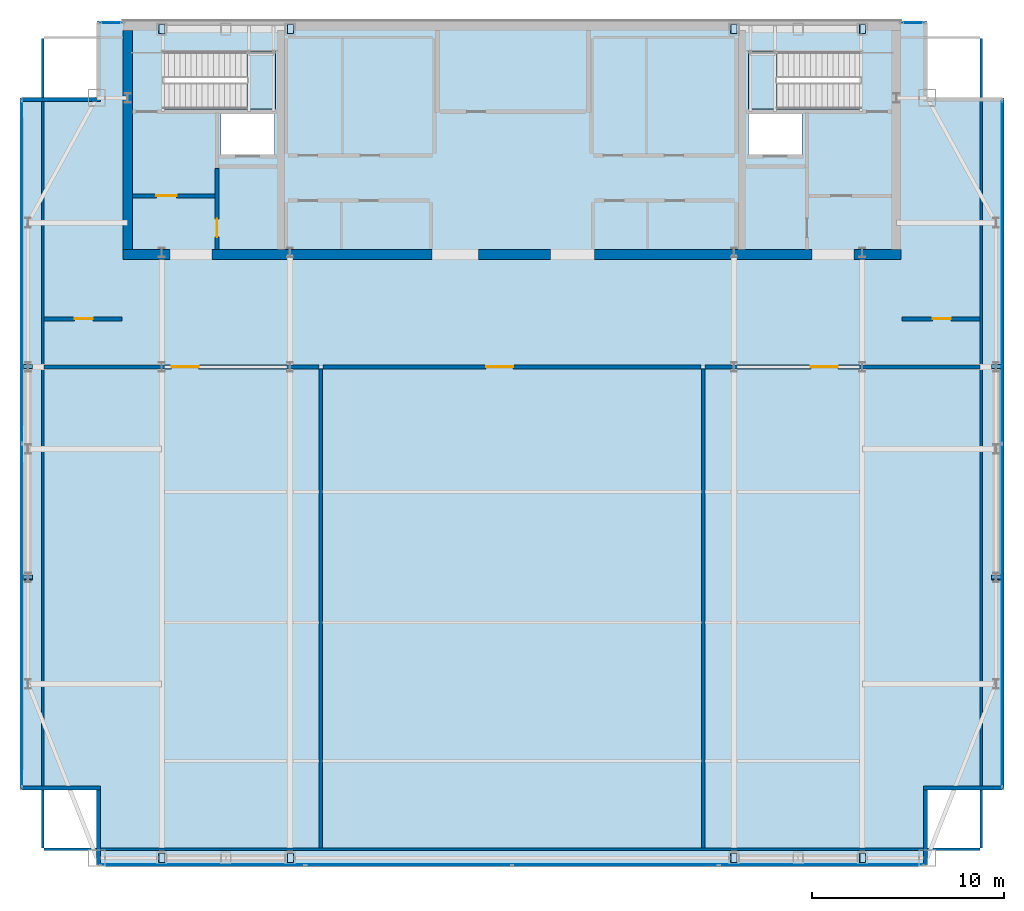
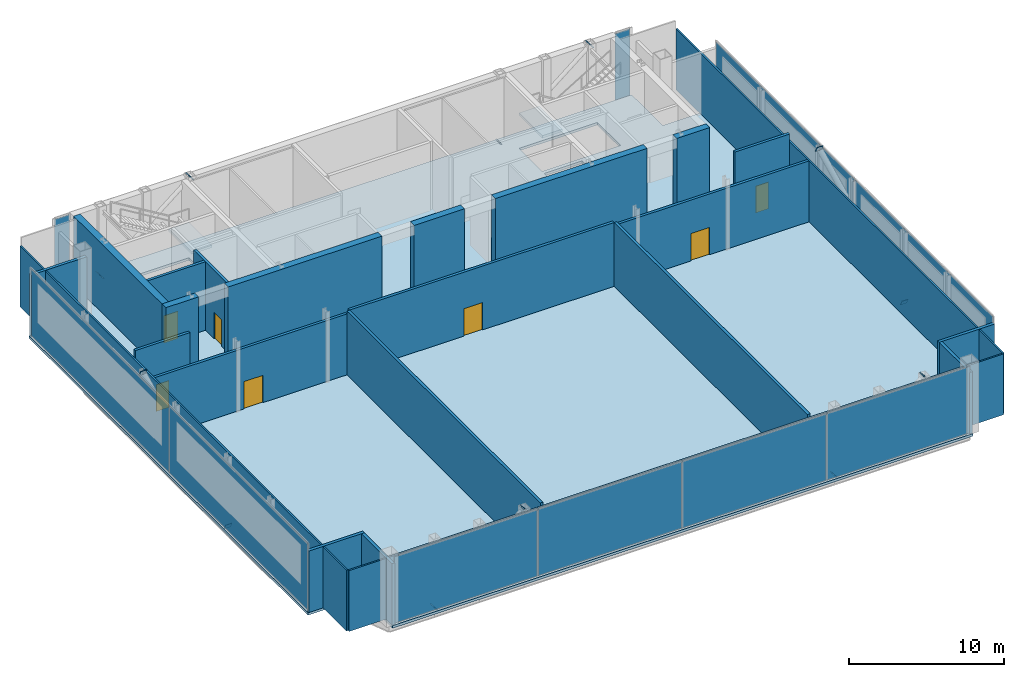
# One storey, part 18 of 22: 23 walls, 22 plates, 7 doors, 3 slabs, 7 openings, 7 elements without a shape of their own.
"""IFC4 building model written with IfcOpenShell, lengths in metres."""

from ifc_helpers import new_model, si_unit, direction, frame, frame_2d, origin, origin_2d, place, context, subcontext, project, spatial, polyline, rectangle, outline, extrude, material, layer, layer_set, type_object, element, fill, aggregate, save


model = new_model("IFC4")

# Units and contexts
model_context = context("Model", 3, precision=1e-05, world=origin(), true_north=direction((0.0, 1.0)))
body_context = subcontext(model_context, "Body", "Model", "MODEL_VIEW")
ifc_project = project(units=[si_unit("LENGTHUNIT", "METRE"), si_unit("AREAUNIT", "SQUARE_METRE"), si_unit("VOLUMEUNIT", "CUBIC_METRE"), si_unit("PLANEANGLEUNIT", "RADIAN"), si_unit("MASSUNIT", "GRAM", prefix="KILO")], contexts=[model_context])

# Site, building, storey
site_placement = place(None, origin())
site = spatial("IfcSite", under=ifc_project, at=site_placement, CompositionType="ELEMENT")
building_placement = place(site_placement, origin())
building = spatial("IfcBuilding", under=site, at=building_placement, Name="Khoronbel Lancet Exchange", CompositionType="ELEMENT")
storey_placement = place(building_placement, frame((0.0, 0.0, 361.800048828125)))
storey = spatial("IfcBuildingStorey", under=building, at=storey_placement, Name="L93", CompositionType="ELEMENT", Elevation=361.800048828125)

# Curtain wall, plates
ifc_material_1 = material(Name="Low-E Solar Control Insulating Glass", Category="glass")
curtain_wall_type = type_object("IfcCurtainWallType", Name="CW-6", PredefinedType="NOTDEFINED", material=ifc_material_1)
curtain_wall_1_placement = place(storey_placement, origin())
curtain_wall_1 = element("IfcCurtainWall", 1, at=curtain_wall_1_placement, inside=storey, type_object=curtain_wall_type, Name="Unitised curtain wall CW-L93-E03", PredefinedType="NOTDEFINED")
ifc_material_2 = material(Name="Bronze-Anodised Aluminium 6063-T6", Category="aluminium")
ifc_layer_1 = layer(ifc_material_2, 0.050048828125, Name="Bronze-Anodised Aluminium 6063-T6")
ifc_layer_set_1 = layer_set([ifc_layer_1], Name="Bronze-Anodised Aluminium 6063-T6")
plate_type_1 = type_object("IfcPlateType", Name="PLT-CSP1", PredefinedType="SHEET", material=ifc_layer_set_1)
plate_1_placement = place(storey_placement, frame((10.93994140625, 22.763671875, 0.0849609375), z_axis=(0.0, 0.0, 1.0), x_axis=(0.0, 1.0, 0.0)))
plate_1 = element("IfcPlate", 2, at=plate_1_placement, type_object=plate_type_1, Name="CW6 panel 1.1", PredefinedType="CURTAIN_PANEL", context=body_context, shape_type="SweptSolid", body=[
    extrude(rectangle(XDim=17.797607421875, YDim=0.0380859375, at=origin_2d()), origin(), (0.0, 0.0, 1.0), 5.22998046875),
])
plate_2_placement = place(storey_placement, frame((10.93994140625, 40.63623046875, 0.0849609375), z_axis=(0.0, 0.0, 1.0), x_axis=(0.0, 1.0, 0.0)))
plate_2 = element("IfcPlate", 3, at=plate_2_placement, type_object=plate_type_1, Name="CW6 panel 2.1", PredefinedType="CURTAIN_PANEL", context=body_context, shape_type="SweptSolid", body=[
    extrude(rectangle(XDim=17.797607421875, YDim=0.0380859375, at=origin_2d()), origin(), (0.0, 0.0, 1.0), 5.22998046875),
])
aggregate(curtain_wall_1, [plate_1, plate_2])

# Curtain wall, plate
curtain_wall_2_placement = place(storey_placement, origin())
curtain_wall_2 = element("IfcCurtainWall", 4, at=curtain_wall_2_placement, inside=storey, type_object=curtain_wall_type, Name="Unitised curtain wall CW-L93-NWFLK", PredefinedType="NOTDEFINED")
plate_3_placement = place(storey_placement, frame((15.580078125, 53.610107421875, 0.0849609375), z_axis=(0.0, 0.0, 1.0), x_axis=(-1.0, 0.0, 0.0)))
plate_3 = element("IfcPlate", 5, at=plate_3_placement, type_object=plate_type_1, Name="CW6 panel 1.1", PredefinedType="CURTAIN_PANEL", context=body_context, shape_type="SweptSolid", body=[
    extrude(rectangle(XDim=1.110107421875, YDim=0.0380859375, at=origin_2d()), origin(), (0.0, 0.0, 1.0), 5.22998046875),
])
aggregate(curtain_wall_2, [plate_3])

curtain_wall_3_placement = place(storey_placement, origin())
curtain_wall_3 = element("IfcCurtainWall", 6, at=curtain_wall_3_placement, inside=storey, type_object=curtain_wall_type, Name="Unitised curtain wall CW-L93-NEFLK", PredefinedType="NOTDEFINED")
plate_4_placement = place(storey_placement, frame((57.320068359375, 53.610107421875, 0.0849609375), z_axis=(0.0, 0.0, 1.0), x_axis=(-1.0, 0.0, 0.0)))
plate_4 = element("IfcPlate", 7, at=plate_4_placement, type_object=plate_type_1, Name="CW6 panel 1.1", PredefinedType="CURTAIN_PANEL", context=body_context, shape_type="SweptSolid", body=[
    extrude(rectangle(XDim=1.110107421875, YDim=0.0380859375, at=origin_2d()), origin(), (0.0, 0.0, 1.0), 5.22998046875),
])
aggregate(curtain_wall_3, [plate_4])

# Curtain wall, plates
curtain_wall_4_placement = place(storey_placement, origin())
curtain_wall_4 = element("IfcCurtainWall", 8, at=curtain_wall_4_placement, inside=storey, type_object=curtain_wall_type, Name="Unitised curtain wall CW-L93-E09", PredefinedType="NOTDEFINED")
plate_5_placement = place(storey_placement, frame((61.9599609375, 40.63623046875, 0.0849609375), z_axis=(0.0, 0.0, 1.0), x_axis=(0.0, -1.0, 0.0)))
plate_5 = element("IfcPlate", 9, at=plate_5_placement, type_object=plate_type_1, Name="CW6 panel 1.1", PredefinedType="CURTAIN_PANEL", context=body_context, shape_type="SweptSolid", body=[
    extrude(rectangle(XDim=17.797607421875, YDim=0.0380859375, at=origin_2d()), origin(), (0.0, 0.0, 1.0), 5.22998046875),
])
plate_6_placement = place(storey_placement, frame((61.9599609375, 22.763671875, 0.0849609375), z_axis=(0.0, 0.0, 1.0), x_axis=(0.0, -1.0, 0.0)))
plate_6 = element("IfcPlate", 10, at=plate_6_placement, type_object=plate_type_1, Name="CW6 panel 2.1", PredefinedType="CURTAIN_PANEL", context=body_context, shape_type="SweptSolid", body=[
    extrude(rectangle(XDim=17.797607421875, YDim=0.0380859375, at=origin_2d()), origin(), (0.0, 0.0, 1.0), 5.22998046875),
])
aggregate(curtain_wall_4, [plate_5, plate_6])

curtain_wall_5_placement = place(storey_placement, origin())
curtain_wall_5 = element("IfcCurtainWall", 11, at=curtain_wall_5_placement, inside=storey, type_object=curtain_wall_type, Name="Unitised curtain wall CW-L93-E12", PredefinedType="NOTDEFINED")
plate_7_placement = place(storey_placement, frame((52.563720703125, 9.7900390625, 0.0849609375), z_axis=(0.0, 0.0, 1.0), x_axis=(-1.0, 0.0, 0.0)))
plate_7 = element("IfcPlate", 12, at=plate_7_placement, type_object=plate_type_1, Name="CW6 panel 1.1", PredefinedType="CURTAIN_PANEL", context=body_context, shape_type="SweptSolid", body=[
    extrude(rectangle(XDim=10.642578125, YDim=0.0380859375, at=origin_2d()), origin(), (0.0, 0.0, 1.0), 5.22998046875),
])
plate_8_placement = place(storey_placement, frame((41.827392578125, 9.7900390625, 0.0849609375), z_axis=(0.0, 0.0, 1.0), x_axis=(-1.0, 0.0, 0.0)))
plate_8 = element("IfcPlate", 13, at=plate_8_placement, type_object=plate_type_1, Name="CW6 panel 2.1", PredefinedType="CURTAIN_PANEL", context=body_context, shape_type="SweptSolid", body=[
    extrude(rectangle(XDim=10.679931640625, YDim=0.0380859375, at=origin_2d()), origin(), (0.0, 0.0, 1.0), 5.22998046875),
])
plate_9_placement = place(storey_placement, frame((31.072509765625, 9.7900390625, 0.0849609375), z_axis=(0.0, 0.0, 1.0), x_axis=(-1.0, 0.0, 0.0)))
plate_9 = element("IfcPlate", 14, at=plate_9_placement, type_object=plate_type_1, Name="CW6 panel 3.1", PredefinedType="CURTAIN_PANEL", context=body_context, shape_type="SweptSolid", body=[
    extrude(rectangle(XDim=10.679931640625, YDim=0.0380859375, at=origin_2d()), origin(), (0.0, 0.0, 1.0), 5.22998046875),
])
plate_10_placement = place(storey_placement, frame((20.336181640625, 9.7900390625, 0.0849609375), z_axis=(0.0, 0.0, 1.0), x_axis=(-1.0, 0.0, 0.0)))
plate_10 = element("IfcPlate", 15, at=plate_10_placement, type_object=plate_type_1, Name="CW6 panel 4.1", PredefinedType="CURTAIN_PANEL", context=body_context, shape_type="SweptSolid", body=[
    extrude(rectangle(XDim=10.642578125, YDim=0.0380859375, at=origin_2d()), origin(), (0.0, 0.0, 1.0), 5.22998046875),
])
aggregate(curtain_wall_5, [plate_7, plate_8, plate_9, plate_10])

# Plates
ifc_material_3 = material(Name="Steel S460", Category="steel")
ifc_layer_2 = layer(ifc_material_3, 0.044921875, Name="Steel S460")
ifc_layer_set_2 = layer_set([ifc_layer_2], Name="Steel S460")
plate_type_2 = type_object("IfcPlateType", Name="PLT-ECP1", PredefinedType="USERDEFINED", material=ifc_layer_set_2)
for number, where, z_axis, x_axis, name in (
    (16, (18.385498046875, 9.909912109375, -0.1787109375), (0.776331812699, 0.0, 0.63032445343), (0.0, 1.0, 0.0), "Hollow end cap plate PLT-CAP-MEM-L93-CROWN-BR-S1-0"),
    (17, (25.076904296875, 9.909912109375, 5.25439453125), (0.776331812699, 0.0, 0.63032445343), (0.0, 1.0, 0.0), "Hollow end cap plate PLT-CAP-MEM-L93-CROWN-BR-S1-1"),
    (18, (48.16064453125, 9.909912109375, -0.1787109375), (0.776082886451, 0.0, 0.630630916906), (0.0, 1.0, 0.0), "Hollow end cap plate PLT-CAP-MEM-L93-CROWN-BR-S2-0"),
    (19, (54.851806640625, 9.909912109375, 5.25439453125), (0.776331812699, 0.0, 0.63032445343), (0.0, 1.0, 0.0), "Hollow end cap plate PLT-CAP-MEM-L93-CROWN-BR-S2-1"),
    (20, (18.385498046875, 53.0400390625, -0.1787109375), (0.776331812699, 0.0, 0.63032445343), (0.0, 1.0, 0.0), "Hollow end cap plate PLT-CAP-MEM-L93-CROWN-BR-N1-0"),
    (21, (25.076904296875, 53.0400390625, 5.25439453125), (0.776331812699, 0.0, 0.63032445343), (0.0, 1.0, 0.0), "Hollow end cap plate PLT-CAP-MEM-L93-CROWN-BR-N1-1"),
    (22, (48.16064453125, 53.0400390625, -0.1787109375), (0.776082886451, 0.0, 0.630630916906), (0.0, 1.0, 0.0), "Hollow end cap plate PLT-CAP-MEM-L93-CROWN-BR-N2-0"),
    (23, (54.851806640625, 53.0400390625, 5.25439453125), (0.776331812699, 0.0, 0.63032445343), (0.0, 1.0, 0.0), "Hollow end cap plate PLT-CAP-MEM-L93-CROWN-BR-N2-1"),
    (24, (11.510009765625, 24.8671875, -0.209716796875), (0.0, 0.896250852625, 0.443547527519), (-1.0, 0.0, 0.0), "Hollow end cap plate PLT-CAP-MEM-L93-CROWN-BR-W1-0"),
    (25, (11.510009765625, 35.8359375, 5.219482421875), (0.0, 0.896250852625, 0.443547527519), (-1.0, 0.0, 0.0), "Hollow end cap plate PLT-CAP-MEM-L93-CROWN-BR-W1-1"),
):
    element("IfcPlate", number, at=place(storey_placement, frame(where, z_axis=z_axis, x_axis=x_axis)), inside=storey, type_object=plate_type_2, Name=name, ObjectType="STIFFENER_PLATE", PredefinedType="USERDEFINED", context=body_context, shape_type="SweptSolid", body=[
        extrude(outline(polyline([(0.0, 0.0), (0.47998046875, 0.0), (0.47998046875, 0.47998046875), (0.0, 0.47998046875), (0.0, 0.0)])), origin(), (0.0, 0.0, -1.0), 0.044921875),
    ])
for number, where, z_axis, x_axis, name in (
    (26, (61.8701171875, 24.8671875, -0.209716796875), (0.0, 0.896250852625, 0.443547527519), (-1.0, 0.0, 0.0), "Hollow end cap plate PLT-CAP-MEM-L93-CROWN-BR-E1-0"),
    (27, (61.8701171875, 35.8359375, 5.219482421875), (0.0, 0.896250852625, 0.443547527519), (-1.0, 0.0, 0.0), "Hollow end cap plate PLT-CAP-MEM-L93-CROWN-BR-E1-1"),
):
    element("IfcPlate", number, at=place(storey_placement, frame(where, z_axis=z_axis, x_axis=x_axis)), inside=storey, type_object=plate_type_2, Name=name, ObjectType="STIFFENER_PLATE", PredefinedType="USERDEFINED", context=body_context, shape_type="SweptSolid", body=[
        extrude(outline(polyline([(0.0, 0.0), (0.480224609375, 0.0), (0.480224609375, 0.47998046875), (0.0, 0.47998046875), (0.0, 0.0)])), origin(), (0.0, 0.0, -1.0), 0.044921875),
    ])

# Slab
ifc_material_4 = material(Name="Concrete C40/50", Category="concrete")
ifc_layer_3 = layer(ifc_material_4, 0.199951171875, Name="Concrete C40/50")
ifc_layer_set_3 = layer_set([ifc_layer_3], Name="Concrete C40/50")
slab_type_1 = type_object("IfcSlabType", Name="SL-FL200", PredefinedType="FLOOR", material=ifc_layer_set_3)
slab_1_placement = place(storey_placement, frame((0.0, 0.0, -0.199951171875)))
element("IfcSlab", 28, at=slab_1_placement, inside=storey, type_object=slab_type_1, Name="Level L93 composite structural floor slab", PredefinedType="FLOOR", context=body_context, shape_type="SweptSolid", body=[
    extrude(outline(polyline([(14.85009765625, 9.699951171875), (58.050048828125, 9.699951171875), (58.050048828125, 13.699951171875), (62.050048828125, 13.699951171875), (62.050048828125, 17.699951171875), (62.050048828125, 45.699951171875), (62.050048828125, 49.699951171875), (58.050048828125, 49.699951171875), (58.050048828125, 53.699951171875), (14.85009765625, 53.699951171875), (14.85009765625, 49.699951171875), (10.85009765625, 49.699951171875), (10.85009765625, 45.699951171875), (10.85009765625, 17.699951171875), (10.85009765625, 13.699951171875), (14.85009765625, 13.699951171875), (14.85009765625, 9.699951171875)]), holes=[polyline([(18.324951171875, 49.1201171875), (24.14990234375, 49.1201171875), (24.14990234375, 52.10009765625), (18.324951171875, 52.10009765625), (18.324951171875, 49.1201171875)]), polyline([(48.75, 49.1201171875), (54.574951171875, 49.1201171875), (54.574951171875, 52.10009765625), (48.75, 52.10009765625), (48.75, 49.1201171875)]), polyline([(21.300048828125, 46.75), (24.10009765625, 46.75), (24.10009765625, 48.85009765625), (21.300048828125, 48.85009765625), (21.300048828125, 46.75)]), polyline([(48.75, 46.75), (51.550048828125, 46.75), (51.550048828125, 48.85009765625), (48.75, 48.85009765625), (48.75, 46.75)])]), origin(), (0.0, 0.0, 1.0), 0.199951171875),
])

# Stair, slab
stair_type = type_object("IfcStairType", Name="STR-CRN135", PredefinedType="HALF_TURN_STAIR", material=ifc_material_4)
stair_1_placement = place(storey_placement, origin())
stair_1 = element("IfcStair", 29, at=stair_1_placement, inside=storey, type_object=stair_type, Name="L93 Protected Exit Stair ST1", PredefinedType="HALF_TURN_STAIR")
ifc_layer_4 = layer(ifc_material_4, 0.199951171875, Name="Concrete C40/50")
ifc_layer_set_4 = layer_set([ifc_layer_4], Name="Concrete C40/50")
slab_type_2 = type_object("IfcSlabType", Name="SL-LND180", PredefinedType="LANDING", material=ifc_layer_set_4)
slab_2_placement = place(storey_placement, frame((0.0, 0.0, 2.599853515625)))
slab_2 = element("IfcSlab", 30, at=slab_2_placement, type_object=slab_type_2, Name="ST1 landing 1", PredefinedType="LANDING", context=body_context, shape_type="SweptSolid", body=[
    extrude(outline(polyline([(22.64990234375, 49.1201171875), (24.14990234375, 49.1201171875), (24.14990234375, 52.10009765625), (22.64990234375, 52.10009765625), (22.64990234375, 49.1201171875)])), origin(), (0.0, 0.0, 1.0), 0.2001953125),
])
aggregate(stair_1, [slab_2])

stair_2_placement = place(storey_placement, origin())
stair_2 = element("IfcStair", 31, at=stair_2_placement, inside=storey, type_object=stair_type, Name="L93 Protected Exit Stair ST2", PredefinedType="HALF_TURN_STAIR")
slab_3_placement = place(storey_placement, frame((0.0, 0.0, 2.599853515625)))
slab_3 = element("IfcSlab", 32, at=slab_3_placement, type_object=slab_type_2, Name="ST2 landing 1", PredefinedType="LANDING", context=body_context, shape_type="SweptSolid", body=[
    extrude(outline(polyline([(50.25, 52.10009765625), (48.75, 52.10009765625), (48.75, 49.1201171875), (50.25, 49.1201171875), (50.25, 52.10009765625)])), origin(), (0.0, 0.0, 1.0), 0.2001953125),
])
aggregate(stair_2, [slab_3])

# Walls
ifc_material_5 = material(Name="Concrete C60/75", Category="concrete")
ifc_layer_5 = layer(ifc_material_5, 0.5, Name="Concrete C60/75")
ifc_layer_set_5 = layer_set([ifc_layer_5], Name="Concrete C60/75")
wall_type_1 = type_object("IfcWallType", Name="WL-CW4", PredefinedType="SHEAR", material=ifc_layer_set_5)
wall_1_placement = place(storey_placement, frame((16.449951171875, 41.800048828125, 0.0), z_axis=(0.0, 0.0, 1.0), x_axis=(0.0, 1.0, 0.0)))
element("IfcWall", 33, at=wall_1_placement, inside=storey, type_object=wall_type_1, Name="Level L93 rear core west shear wall", PredefinedType="SHEAR", context=body_context, shape_type="SweptSolid", body=[
    extrude(rectangle(XDim=11.39990234375, YDim=0.5, at=frame_2d((5.699951171875, 0.0))), origin(), (0.0, 0.0, 1.0), 5.39990234375),
])
wall_2_placement = place(storey_placement, frame((18.64990234375, 41.550048828125, 0.0), z_axis=(0.0, 0.0, 1.0), x_axis=(-1.0, 0.0, 0.0)))
element("IfcWall", 34, at=wall_2_placement, inside=storey, type_object=wall_type_1, Name="Level L93 rear core south shear wall pier P1", PredefinedType="SHEAR", context=body_context, shape_type="SweptSolid", body=[
    extrude(rectangle(XDim=2.449951171875, YDim=0.5, at=frame_2d((1.22509765625, 0.0))), origin(), (0.0, 0.0, 1.0), 5.39990234375),
])
wall_3_placement = place(storey_placement, frame((32.300048828125, 41.550048828125, 0.0), z_axis=(0.0, 0.0, 1.0), x_axis=(-1.0, 0.0, 0.0)))
element("IfcWall", 35, at=wall_3_placement, inside=storey, type_object=wall_type_1, Name="Level L93 rear core south shear wall pier P2", PredefinedType="SHEAR", context=body_context, shape_type="SweptSolid", body=[
    extrude(rectangle(XDim=11.449951171875, YDim=0.5, at=frame_2d((5.72509765625, 0.0))), origin(), (0.0, 0.0, 1.0), 5.39990234375),
])
wall_4_placement = place(storey_placement, frame((38.449951171875, 41.550048828125, 0.0), z_axis=(0.0, 0.0, 1.0), x_axis=(-1.0, 0.0, 0.0)))
element("IfcWall", 36, at=wall_4_placement, inside=storey, type_object=wall_type_1, Name="Level L93 rear core south shear wall pier P3", PredefinedType="SHEAR", context=body_context, shape_type="SweptSolid", body=[
    extrude(rectangle(XDim=3.75, YDim=0.5, at=frame_2d((1.875, 0.0))), origin(), (0.0, 0.0, 1.0), 5.39990234375),
])
wall_5_placement = place(storey_placement, frame((52.050048828125, 41.550048828125, 0.0), z_axis=(0.0, 0.0, 1.0), x_axis=(-1.0, 0.0, 0.0)))
element("IfcWall", 37, at=wall_5_placement, inside=storey, type_object=wall_type_1, Name="Level L93 rear core south shear wall pier P4", PredefinedType="SHEAR", context=body_context, shape_type="SweptSolid", body=[
    extrude(rectangle(XDim=11.300048828125, YDim=0.5, at=frame_2d((5.64990234375, 0.0))), origin(), (0.0, 0.0, 1.0), 5.39990234375),
])
wall_6_placement = place(storey_placement, frame((56.699951171875, 41.550048828125, 0.0), z_axis=(0.0, 0.0, 1.0), x_axis=(-1.0, 0.0, 0.0)))
element("IfcWall", 38, at=wall_6_placement, inside=storey, type_object=wall_type_1, Name="Level L93 rear core south shear wall pier P5", PredefinedType="SHEAR", context=body_context, shape_type="SweptSolid", body=[
    extrude(rectangle(XDim=2.449951171875, YDim=0.5, at=frame_2d((1.22509765625, 0.0))), origin(), (0.0, 0.0, 1.0), 5.39990234375),
])
ifc_material_6 = material(Name="Precast concrete C40/50", Category="concrete")
ifc_layer_6 = layer(ifc_material_6, 0.25, Name="Precast concrete C40/50")
ifc_layer_set_6 = layer_set([ifc_layer_6], Name="Precast concrete C40/50")
wall_type_2 = type_object("IfcWallType", Name="WL-EXT250", PredefinedType="SOLIDWALL", material=ifc_layer_set_6)
wall_7_placement = place(storey_placement, frame((14.93994140625, 9.77001953125, 0.0), z_axis=(0.0, 0.0, 1.0), x_axis=(0.0, 1.0, 0.0)))
element("IfcWall", 39, at=wall_7_placement, inside=storey, type_object=wall_type_2, Name="Level L93 notched-corner limestone pier 01", PredefinedType="SOLIDWALL", context=body_context, shape_type="SweptSolid", body=[
    extrude(rectangle(XDim=3.909912109375, YDim=0.219970703125, at=frame_2d((1.955078125, 0.0))), origin(), (0.0, 0.0, 1.0), 4.83984375),
])
for number, where, z_axis, x_axis, name in (
    (40, (15.050048828125, 13.7900390625, 0.0), (0.0, 0.0, 1.0), (-1.0, 0.0, 0.0), "Level L93 notched-corner limestone pier 02"),
    (41, (10.919921875, 49.610107421875, 0.0), (0.0, 0.0, 1.0), (1.0, 0.0, 0.0), "Level L93 notched-corner limestone pier 04"),
):
    element("IfcWall", number, at=place(storey_placement, frame(where, z_axis=z_axis, x_axis=x_axis)), inside=storey, type_object=wall_type_2, Name=name, PredefinedType="SOLIDWALL", context=body_context, shape_type="SweptSolid", body=[
        extrude(rectangle(XDim=4.130126953125, YDim=0.219970703125, at=frame_2d((2.06494140625, 0.0))), origin(), (0.0, 0.0, 1.0), 4.83984375),
    ])
wall_8_placement = place(storey_placement, frame((61.97998046875, 13.7900390625, 0.0), z_axis=(0.0, 0.0, 1.0), x_axis=(-1.0, 0.0, 0.0)))
element("IfcWall", 42, at=wall_8_placement, inside=storey, type_object=wall_type_2, Name="Level L93 notched-corner limestone pier 10", PredefinedType="SOLIDWALL", context=body_context, shape_type="SweptSolid", body=[
    extrude(rectangle(XDim=4.1298828125, YDim=0.219970703125, at=frame_2d((2.06494140625, 0.0))), origin(), (0.0, 0.0, 1.0), 4.83984375),
])
wall_9_placement = place(storey_placement, frame((57.9599609375, 13.679931640625, 0.0), z_axis=(0.0, 0.0, 1.0), x_axis=(0.0, -1.0, 0.0)))
element("IfcWall", 43, at=wall_9_placement, inside=storey, type_object=wall_type_2, Name="Level L93 notched-corner limestone pier 11", PredefinedType="SOLIDWALL", context=body_context, shape_type="SweptSolid", body=[
    extrude(rectangle(XDim=3.909912109375, YDim=0.219970703125, at=frame_2d((1.955078125, 0.0))), origin(), (0.0, 0.0, 1.0), 4.83984375),
])
ifc_material_7 = material(Name="Acoustic Metal-Stud & Mineral-Wool Gypsum Partition 120 mm", Category="gypsum")
ifc_layer_7 = layer(ifc_material_7, 0.1201171875, Name="Acoustic Metal-Stud & Mineral-Wool Gypsum Partition 120 mm")
ifc_layer_set_7 = layer_set([ifc_layer_7], Name="Acoustic Metal-Stud & Mineral-Wool Gypsum Partition 120 mm")
wall_type_3 = type_object("IfcWallType", Name="WL-PRT120", PredefinedType="PARTITIONING", material=ifc_layer_set_7)
for number, where, z_axis, x_axis, name in (
    (44, (12.030029296875, 10.6650390625, 0.0), (0.0, 0.0, 1.0), (0.0, 1.0, 0.0), "Level L93 interior partition PW-LIN-W"),
    (45, (60.8701171875, 10.6650390625, 0.0), (0.0, 0.0, 1.0), (0.0, 1.0, 0.0), "Level L93 interior partition PW-LIN-E"),
):
    element("IfcWall", number, at=place(storey_placement, frame(where, z_axis=z_axis, x_axis=x_axis)), inside=storey, type_object=wall_type_3, Name=name, PredefinedType="PARTITIONING", context=body_context, shape_type="SweptSolid", body=[
        extrude(rectangle(XDim=42.10986328125, YDim=0.1201171875, at=frame_2d((21.054931640625, 0.0))), origin(), (0.0, 0.0, 1.0), 4.7900390625),
    ])
wall_10_placement = place(storey_placement, frame((12.094970703125, 10.60009765625, 0.0), z_axis=(0.0, 0.0, 1.0), x_axis=(1.0, 0.0, 0.0)))
element("IfcWall", 46, at=wall_10_placement, inside=storey, type_object=wall_type_3, Name="Level L93 interior partition PW-LIN-S", PredefinedType="PARTITIONING", context=body_context, shape_type="SweptSolid", body=[
    extrude(rectangle(XDim=48.7099609375, YDim=0.1201171875, at=frame_2d((24.35498046875, 0.0))), origin(), (0.0, 0.0, 1.0), 4.7900390625),
])

# Wall, opening, door
ifc_material_8 = material(Name="Autoclaved Aerated Concrete Blockwork 200 mm", Category="masonry")
ifc_layer_8 = layer(ifc_material_8, 0.199951171875, Name="Autoclaved Aerated Concrete Blockwork 200 mm")
ifc_layer_set_8 = layer_set([ifc_layer_8], Name="Autoclaved Aerated Concrete Blockwork 200 mm")
wall_type_4 = type_object("IfcWallType", Name="WL-PRT200", PredefinedType="PARTITIONING", material=ifc_layer_set_8)
wall_11_placement = place(storey_placement, frame((16.699951171875, 44.60009765625, 0.0), z_axis=(0.0, 0.0, 1.0), x_axis=(1.0, 0.0, 0.0)))
wall_11 = element("IfcWall", 47, at=wall_11_placement, inside=storey, type_object=wall_type_4, Name="Level L93 interior partition CW-FFLW-S", PredefinedType="PARTITIONING", context=body_context, shape_type="SweptSolid", body=[
    extrude(rectangle(XDim=4.300048828125, YDim=0.199951171875, at=frame_2d((2.14990234375, 0.0))), origin(), (0.0, 0.0, 1.0), 5.39990234375),
])
opening_1_placement = place(wall_11_placement, frame((1.25, 0.0, 0.0)))
opening_1 = element("IfcOpeningElement", 48, at=opening_1_placement, cuts=wall_11, Name="Opening FD1", PredefinedType="OPENING", context=body_context, shape_type="SweptSolid", body=[
    extrude(rectangle(XDim=1.050048828125, YDim=2.14990234375, at=frame_2d((0.52490234375, 1.074951171875))), frame((0.0, 0.10986328125, 0.0), z_axis=(0.0, -1.0, 0.0), x_axis=(1.0, 0.0, 0.0)), (0.0, 0.0, 1.0), 0.219970703125),
])
ifc_material_9 = material(Name="Fire-Rated Painted Steel Door Assembly", Category="steel")
door_type_1 = type_object("IfcDoorType", Name="DR-FD1", OperationType="NOTDEFINED", PredefinedType="DOOR", material=ifc_material_9)
door_1_placement = place(opening_1_placement, origin())
door_1 = element("IfcDoor", 49, at=door_1_placement, inside=storey, type_object=door_type_1, Name="West firefighting lobby FD90S door L93-1", OperationType="SINGLE_SWING_LEFT", OverallHeight=2.14990234375, OverallWidth=1.050048828125, PredefinedType="DOOR", context=body_context, shape_type="SweptSolid", body=[
    extrude(rectangle(XDim=1.050048828125, YDim=2.14990234375, at=frame_2d((0.52490234375, 1.074951171875))), frame((0.0, 0.02490234375, 0.0), z_axis=(0.0, -1.0, 0.0), x_axis=(1.0, 0.0, 0.0)), (0.0, 0.0, 1.0), 0.050048828125),
])
fill(opening_1, door_1)

wall_12_placement = place(storey_placement, frame((21.10009765625, 41.800048828125, 0.0), z_axis=(0.0, 0.0, 1.0), x_axis=(0.0, 1.0, 0.0)))
wall_12 = element("IfcWall", 50, at=wall_12_placement, inside=storey, type_object=wall_type_4, Name="Level L93 interior partition CW-SVL1-REC", PredefinedType="PARTITIONING", context=body_context, shape_type="SweptSolid", body=[
    extrude(rectangle(XDim=4.21484375, YDim=0.199951171875, at=frame_2d((2.107421875, 0.0))), origin(), (0.0, 0.0, 1.0), 5.39990234375),
])
opening_2_placement = place(wall_12_placement, frame((0.64990234375, 0.0, 0.0)))
opening_2 = element("IfcOpeningElement", 51, at=opening_2_placement, cuts=wall_12, Name="Opening FD3", PredefinedType="OPENING", context=body_context, shape_type="SweptSolid", body=[
    extrude(rectangle(XDim=0.949951171875, YDim=2.10009765625, at=frame_2d((0.47509765625, 1.050048828125))), frame((0.0, 0.10986328125, 0.0), z_axis=(0.0, -1.0, 0.0), x_axis=(1.0, 0.0, 0.0)), (0.0, 0.0, 1.0), 0.219970703125),
])
ifc_material_10 = material(Name="Fire-Rated Steel Plant & Riser Door Assembly", Category="steel")
door_type_2 = type_object("IfcDoorType", Name="DR-FD3", OperationType="NOTDEFINED", PredefinedType="DOOR", material=ifc_material_10)
door_2_placement = place(opening_2_placement, origin())
door_2 = element("IfcDoor", 52, at=door_2_placement, inside=storey, type_object=door_type_2, Name="Crown telecoms plant door L93-1", OperationType="SINGLE_SWING_RIGHT", OverallHeight=2.10009765625, OverallWidth=0.949951171875, PredefinedType="DOOR", context=body_context, shape_type="SweptSolid", body=[
    extrude(rectangle(XDim=0.949951171875, YDim=2.10009765625, at=frame_2d((0.47509765625, 1.050048828125))), frame((0.0, 0.02490234375, 0.0), z_axis=(0.0, -1.0, 0.0), x_axis=(1.0, 0.0, 0.0)), (0.0, 0.0, 1.0), 0.050048828125),
])
fill(opening_2, door_2)

wall_13_placement = place(storey_placement, frame((12.094970703125, 35.699951171875, 0.0), z_axis=(0.0, 0.0, 1.0), x_axis=(1.0, 0.0, 0.0)))
wall_13 = element("IfcWall", 53, at=wall_13_placement, inside=storey, type_object=wall_type_4, Name="Level L93 interior partition PW-CRN-S1", PredefinedType="PARTITIONING", context=body_context, shape_type="SweptSolid", body=[
    extrude(rectangle(XDim=14.300048828125, YDim=0.199951171875, at=frame_2d((7.14990234375, 0.0))), origin(), (0.0, 0.0, 1.0), 4.7900390625),
])
opening_3_placement = place(wall_13_placement, frame((6.64990234375, 0.0, 0.0)))
opening_3 = element("IfcOpeningElement", 54, at=opening_3_placement, cuts=wall_13, Name="Opening D7", PredefinedType="OPENING", context=body_context, shape_type="SweptSolid", body=[
    extrude(rectangle(XDim=1.39990234375, YDim=2.14990234375, at=frame_2d((0.699951171875, 1.074951171875))), frame((0.0, 0.10986328125, 0.0), z_axis=(0.0, -1.0, 0.0), x_axis=(1.0, 0.0, 0.0)), (0.0, 0.0, 1.0), 0.219970703125),
])
ifc_material_11 = material(Name="Fire-Rated Heavy Plant Double Door Assembly", Category="steel")
door_type_3 = type_object("IfcDoorType", Name="DR-D7", OperationType="NOTDEFINED", PredefinedType="DOOR", material=ifc_material_11)
door_3_placement = place(opening_3_placement, origin())
door_3 = element("IfcDoor", 55, at=door_3_placement, inside=storey, type_object=door_type_3, Name="Crown west plant double door L93-1", OperationType="DOUBLE_DOOR_SINGLE_SWING", OverallHeight=2.14990234375, OverallWidth=1.39990234375, PredefinedType="DOOR", context=body_context, shape_type="SweptSolid", body=[
    extrude(rectangle(XDim=1.39990234375, YDim=2.14990234375, at=frame_2d((0.699951171875, 1.074951171875))), frame((0.0, 0.02490234375, 0.0), z_axis=(0.0, -1.0, 0.0), x_axis=(1.0, 0.0, 0.0)), (0.0, 0.0, 1.0), 0.050048828125),
])
fill(opening_3, door_3)

wall_14_placement = place(storey_placement, frame((26.60498046875, 35.699951171875, 0.0), z_axis=(0.0, 0.0, 1.0), x_axis=(1.0, 0.0, 0.0)))
wall_14 = element("IfcWall", 56, at=wall_14_placement, inside=storey, type_object=wall_type_4, Name="Level L93 interior partition PW-CRN-S2", PredefinedType="PARTITIONING", context=body_context, shape_type="SweptSolid", body=[
    extrude(rectangle(XDim=19.68994140625, YDim=0.199951171875, at=frame_2d((9.844970703125, 0.0))), origin(), (0.0, 0.0, 1.0), 5.030029296875),
])
opening_4_placement = place(wall_14_placement, frame((8.5, 0.0, 0.0)))
opening_4 = element("IfcOpeningElement", 57, at=opening_4_placement, cuts=wall_14, Name="Opening D7", PredefinedType="OPENING", context=body_context, shape_type="SweptSolid", body=[
    extrude(rectangle(XDim=1.39990234375, YDim=2.14990234375, at=frame_2d((0.699951171875, 1.074951171875))), frame((0.0, 0.10986328125, 0.0), z_axis=(0.0, -1.0, 0.0), x_axis=(1.0, 0.0, 0.0)), (0.0, 0.0, 1.0), 0.219970703125),
])
door_4_placement = place(opening_4_placement, origin())
door_4 = element("IfcDoor", 58, at=door_4_placement, inside=storey, type_object=door_type_3, Name="Crown central cooling plant door L93-1", OperationType="DOUBLE_DOOR_SINGLE_SWING", OverallHeight=2.14990234375, OverallWidth=1.39990234375, PredefinedType="DOOR", context=body_context, shape_type="SweptSolid", body=[
    extrude(rectangle(XDim=1.39990234375, YDim=2.14990234375, at=frame_2d((0.699951171875, 1.074951171875))), frame((0.0, 0.02490234375, 0.0), z_axis=(0.0, -1.0, 0.0), x_axis=(1.0, 0.0, 0.0)), (0.0, 0.0, 1.0), 0.050048828125),
])
fill(opening_4, door_4)

wall_15_placement = place(storey_placement, frame((46.5048828125, 35.699951171875, 0.0), z_axis=(0.0, 0.0, 1.0), x_axis=(1.0, 0.0, 0.0)))
wall_15 = element("IfcWall", 59, at=wall_15_placement, inside=storey, type_object=wall_type_4, Name="Level L93 interior partition PW-CRN-S3", PredefinedType="PARTITIONING", context=body_context, shape_type="SweptSolid", body=[
    extrude(rectangle(XDim=14.300048828125, YDim=0.199951171875, at=frame_2d((7.14990234375, 0.0))), origin(), (0.0, 0.0, 1.0), 4.7900390625),
])
opening_5_placement = place(wall_15_placement, frame((5.5, 0.0, 0.0)))
opening_5 = element("IfcOpeningElement", 60, at=opening_5_placement, cuts=wall_15, Name="Opening D7", PredefinedType="OPENING", context=body_context, shape_type="SweptSolid", body=[
    extrude(rectangle(XDim=1.39990234375, YDim=2.14990234375, at=frame_2d((0.699951171875, 1.074951171875))), frame((0.0, 0.10986328125, 0.0), z_axis=(0.0, -1.0, 0.0), x_axis=(1.0, 0.0, 0.0)), (0.0, 0.0, 1.0), 0.219970703125),
])
door_5_placement = place(opening_5_placement, origin())
door_5 = element("IfcDoor", 61, at=door_5_placement, inside=storey, type_object=door_type_3, Name="Crown east plant double door L93-1", OperationType="DOUBLE_DOOR_SINGLE_SWING", OverallHeight=2.14990234375, OverallWidth=1.39990234375, PredefinedType="DOOR", context=body_context, shape_type="SweptSolid", body=[
    extrude(rectangle(XDim=1.39990234375, YDim=2.14990234375, at=frame_2d((0.699951171875, 1.074951171875))), frame((0.0, 0.02490234375, 0.0), z_axis=(0.0, -1.0, 0.0), x_axis=(1.0, 0.0, 0.0)), (0.0, 0.0, 1.0), 0.050048828125),
])
fill(opening_5, door_5)

# Walls
for number, where, z_axis, x_axis, name in (
    (62, (26.5, 10.6650390625, 0.0), (0.0, 0.0, 1.0), (0.0, 1.0, 0.0), "Level L93 interior partition PW-CRN-V1"),
    (63, (46.39990234375, 10.6650390625, 0.0), (0.0, 0.0, 1.0), (0.0, 1.0, 0.0), "Level L93 interior partition PW-CRN-V2"),
):
    element("IfcWall", number, at=place(storey_placement, frame(where, z_axis=z_axis, x_axis=x_axis)), inside=storey, type_object=wall_type_4, Name=name, PredefinedType="PARTITIONING", context=body_context, shape_type="SweptSolid", body=[
        extrude(rectangle(XDim=24.929931640625, YDim=0.199951171875, at=frame_2d((12.46484375, 0.0))), origin(), (0.0, 0.0, 1.0), 5.030029296875),
    ])

# Wall, opening, door
wall_16_placement = place(storey_placement, frame((12.094970703125, 38.199951171875, 0.0), z_axis=(0.0, 0.0, 1.0), x_axis=(1.0, 0.0, 0.0)))
wall_16 = element("IfcWall", 64, at=wall_16_placement, inside=storey, type_object=wall_type_4, Name="Level L93 interior partition PW-CRN-NW", PredefinedType="PARTITIONING", context=body_context, shape_type="SweptSolid", body=[
    extrude(rectangle(XDim=4.06494140625, YDim=0.199951171875, at=frame_2d((2.032470703125, 0.0))), origin(), (0.0, 0.0, 1.0), 5.39990234375),
])
opening_6_placement = place(wall_16_placement, frame((1.60009765625, 0.0, 0.0)))
opening_6 = element("IfcOpeningElement", 65, at=opening_6_placement, cuts=wall_16, Name="Opening FD3", PredefinedType="OPENING", context=body_context, shape_type="SweptSolid", body=[
    extrude(rectangle(XDim=0.949951171875, YDim=2.10009765625, at=frame_2d((0.47509765625, 1.050048828125))), frame((0.0, 0.10986328125, 0.0), z_axis=(0.0, -1.0, 0.0), x_axis=(1.0, 0.0, 0.0)), (0.0, 0.0, 1.0), 0.219970703125),
])
door_6_placement = place(opening_6_placement, origin())
door_6 = element("IfcDoor", 66, at=door_6_placement, inside=storey, type_object=door_type_2, Name="Crown NW exhaust plant door L93-1", OperationType="SINGLE_SWING_LEFT", OverallHeight=2.10009765625, OverallWidth=0.949951171875, PredefinedType="DOOR", context=body_context, shape_type="SweptSolid", body=[
    extrude(rectangle(XDim=0.949951171875, YDim=2.10009765625, at=frame_2d((0.47509765625, 1.050048828125))), frame((0.0, 0.02490234375, 0.0), z_axis=(0.0, -1.0, 0.0), x_axis=(1.0, 0.0, 0.0)), (0.0, 0.0, 1.0), 0.050048828125),
])
fill(opening_6, door_6)

wall_17_placement = place(storey_placement, frame((56.739990234375, 38.199951171875, 0.0), z_axis=(0.0, 0.0, 1.0), x_axis=(1.0, 0.0, 0.0)))
wall_17 = element("IfcWall", 67, at=wall_17_placement, inside=storey, type_object=wall_type_4, Name="Level L93 interior partition PW-CRN-NE", PredefinedType="PARTITIONING", context=body_context, shape_type="SweptSolid", body=[
    extrude(rectangle(XDim=4.06494140625, YDim=0.199951171875, at=frame_2d((2.032470703125, 0.0))), origin(), (0.0, 0.0, 1.0), 5.39990234375),
])
opening_7_placement = place(wall_17_placement, frame((1.60009765625, 0.0, 0.0)))
opening_7 = element("IfcOpeningElement", 68, at=opening_7_placement, cuts=wall_17, Name="Opening FD3", PredefinedType="OPENING", context=body_context, shape_type="SweptSolid", body=[
    extrude(rectangle(XDim=0.949951171875, YDim=2.10009765625, at=frame_2d((0.47509765625, 1.050048828125))), frame((0.0, 0.10986328125, 0.0), z_axis=(0.0, -1.0, 0.0), x_axis=(1.0, 0.0, 0.0)), (0.0, 0.0, 1.0), 0.219970703125),
])
door_7_placement = place(opening_7_placement, origin())
door_7 = element("IfcDoor", 69, at=door_7_placement, inside=storey, type_object=door_type_2, Name="Crown NE controls plant door L93-1", OperationType="SINGLE_SWING_RIGHT", OverallHeight=2.10009765625, OverallWidth=0.949951171875, PredefinedType="DOOR", context=body_context, shape_type="SweptSolid", body=[
    extrude(rectangle(XDim=0.949951171875, YDim=2.10009765625, at=frame_2d((0.47509765625, 1.050048828125))), frame((0.0, 0.02490234375, 0.0), z_axis=(0.0, -1.0, 0.0), x_axis=(1.0, 0.0, 0.0)), (0.0, 0.0, 1.0), 0.050048828125),
])
fill(opening_7, door_7)

save(model, "model.ifc")
